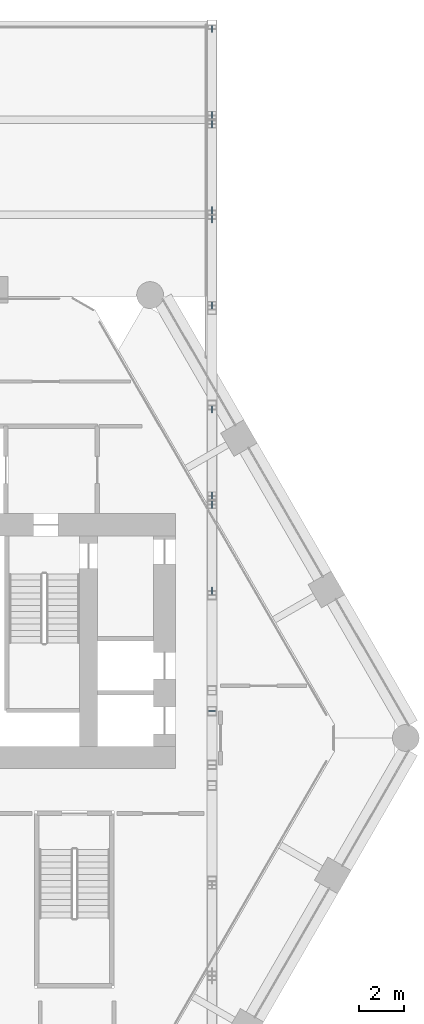
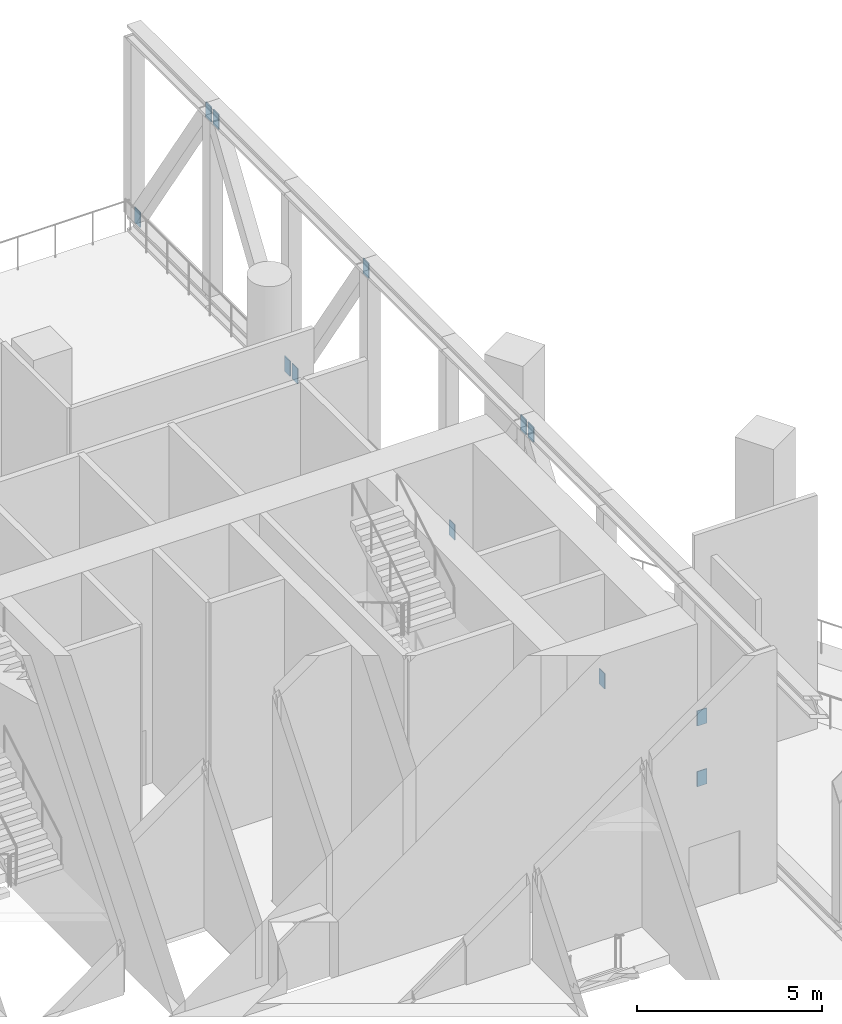
# One storey, part 11 of 16: 12 discrete accessories.
"""IFC4 building model written with IfcOpenShell, lengths in metres."""

from ifc_helpers import new_model, si_unit, direction, frame, origin, origin_2d, place, context, subcontext, project, spatial, rectangle, extrude, material, layer, layer_set, type_object, element, save


model = new_model("IFC4")

# Units and contexts
model_context = context("Model", 3, precision=1e-05, world=origin(), true_north=direction((0.0, 1.0)))
body_context = subcontext(model_context, "Body", "Model", "MODEL_VIEW")
ifc_project = project(units=[si_unit("LENGTHUNIT", "METRE"), si_unit("AREAUNIT", "SQUARE_METRE"), si_unit("VOLUMEUNIT", "CUBIC_METRE"), si_unit("PLANEANGLEUNIT", "RADIAN"), si_unit("MASSUNIT", "GRAM", prefix="KILO")], contexts=[model_context])

# Site, building, storey
site_placement = place(None, origin())
site = spatial("IfcSite", under=ifc_project, at=site_placement, CompositionType="ELEMENT")
building_placement = place(site_placement, origin())
building = spatial("IfcBuilding", under=site, at=building_placement, Name="Ostrander Bayou Hotel Tower", CompositionType="ELEMENT")
storey_placement = place(building_placement, frame((0.0, 0.0, 108.0)))
storey = spatial("IfcBuildingStorey", under=building, at=storey_placement, Name="L27", CompositionType="ELEMENT", Elevation=108.0)

# Discrete accessories
ifc_material = material(Name="Steel ASTM A572 Gr 50", Category="steel")
ifc_layer = layer(ifc_material, 0.030029296875)
ifc_layer_set = layer_set([ifc_layer], Name="GP1 gusset plate 30 mm")
discrete_accessory_type = type_object("IfcDiscreteAccessoryType", Name="GP1 gusset plate 30 mm", PredefinedType="BRACKET", material=ifc_layer_set)
for number, where, z_axis, x_axis, name in (
    (1, (13.6201171875, 31.34228515625, 0.247802734375), (0.0, 0.0, 1.0), (0.0, -1.0, 0.0), "GP1 gusset plate bar 81"),
    (2, (13.6201171875, 27.498779296875, 6.05224609375), (0.0, 0.0, 1.0), (0.0, -1.0, 0.0), "GP1 gusset plate bar 82"),
    (3, (13.6201171875, 23.249267578125, 0.247802734375), (0.0, 0.0, 1.0), (0.0, 1.0, 0.0), "GP1 gusset plate bar 83"),
    (4, (13.6201171875, 27.092529296875, 6.05224609375), (0.0, 0.0, 1.0), (0.0, 1.0, 0.0), "GP1 gusset plate bar 84"),
    (5, (13.6201171875, 22.8427734375, 0.247802734375), (0.0, 0.0, 1.0), (0.0, -1.0, 0.0), "GP1 gusset plate bar 85"),
    (6, (13.6201171875, 18.99951171875, 6.05224609375), (0.0, 0.0, 1.0), (0.0, -1.0, 0.0), "GP1 gusset plate bar 86"),
    (7, (13.6201171875, 14.343505859375, 0.247802734375), (0.0, 0.0, 1.0), (0.0, -1.0, 0.0), "GP1 gusset plate bar 87"),
    (8, (13.6201171875, 10.5, 6.05224609375), (0.0, 0.0, 1.0), (0.0, -1.0, 0.0), "GP1 gusset plate bar 88"),
    (9, (13.6201171875, 6.25048828125, 0.247802734375), (0.0, 0.0, 1.0), (0.0, 1.0, 0.0), "GP1 gusset plate bar 89"),
    (10, (13.6201171875, 10.09375, 6.05224609375), (0.0, 0.0, 1.0), (0.0, 1.0, 0.0), "GP1 gusset plate bar 90"),
    (11, (13.6201171875, 0.872802734375, 0.247802734375), (0.0, 0.0, 1.0), (1.0, 0.0, 0.0), "GP1 gusset plate bar 91"),
    (12, (13.6201171875, 0.872802734375, 2.25), (0.0, 0.0, 1.0), (1.0, 0.0, 0.0), "GP1 gusset plate bar 92"),
):
    element("IfcDiscreteAccessory", number, at=place(storey_placement, frame(where, z_axis=z_axis, x_axis=x_axis)), inside=storey, type_object=discrete_accessory_type, Name=name, PredefinedType="BRACKET", context=body_context, shape_type="SweptSolid", body=[
        extrude(rectangle(XDim=0.300048828125, YDim=0.030029296875, at=origin_2d()), origin(), (0.0, 0.0, 1.0), 0.5),
    ])

save(model, "model.ifc")
